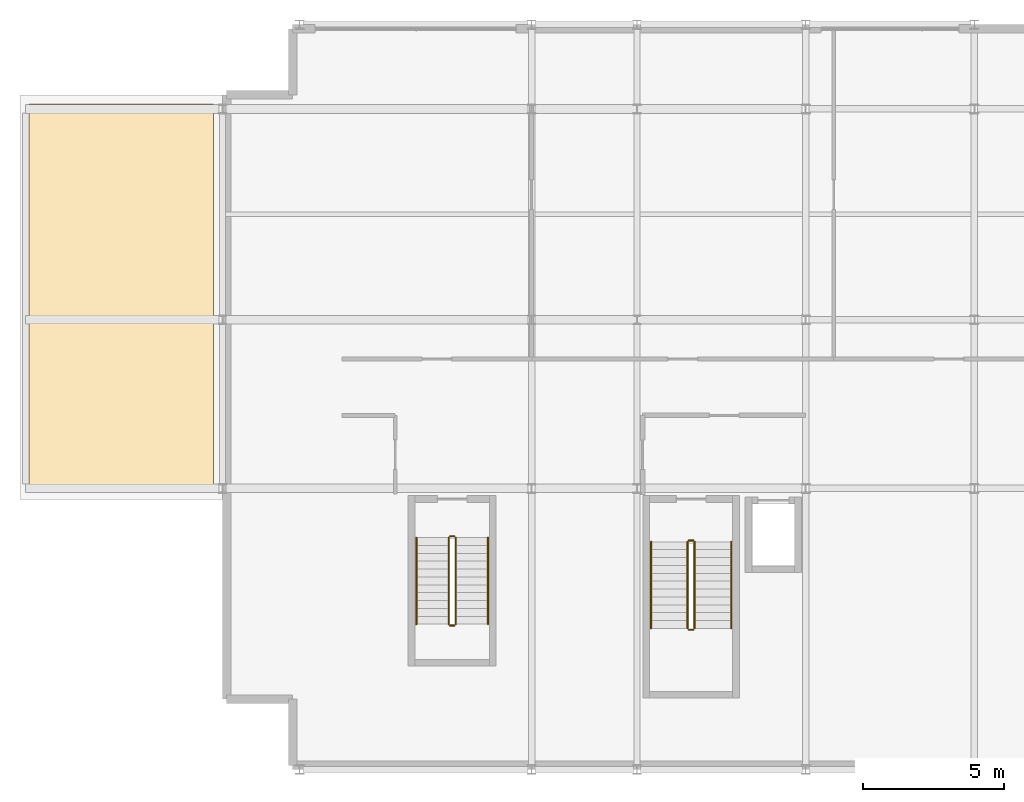
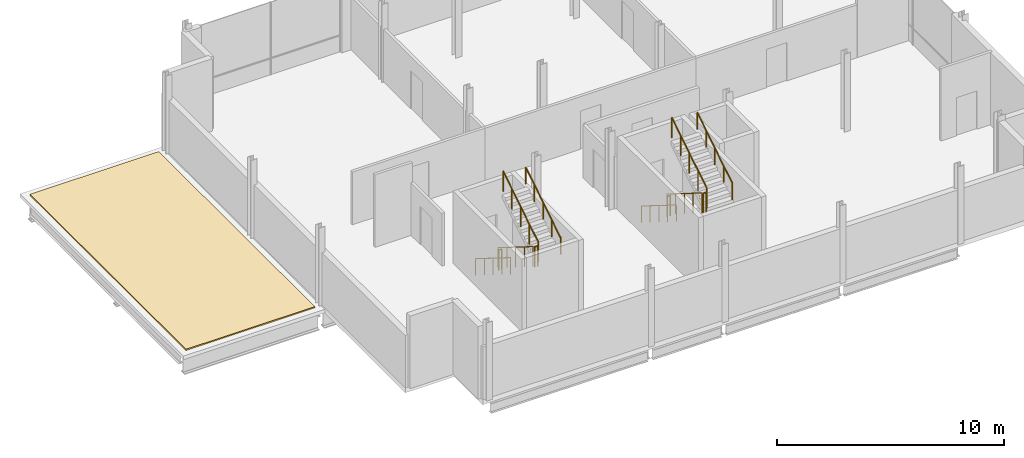
# One storey, part 11 of 11: 12 railings, 1 covering.
"""IFC4 building model written with IfcOpenShell, lengths in metres."""

from ifc_helpers import new_model, si_unit, direction, frame, origin, origin_2d, place, context, subcontext, project, spatial, polyline, circle, outline, extrude, material, layer, layer_set, type_object, element, save


model = new_model("IFC4")

# Units and contexts
model_context = context("Model", 3, precision=1e-05, world=origin(), true_north=direction((0.0, 1.0)))
body_context = subcontext(model_context, "Body", "Model", "MODEL_VIEW")
ifc_project = project(units=[si_unit("LENGTHUNIT", "METRE"), si_unit("AREAUNIT", "SQUARE_METRE"), si_unit("VOLUMEUNIT", "CUBIC_METRE"), si_unit("PLANEANGLEUNIT", "RADIAN"), si_unit("MASSUNIT", "GRAM", prefix="KILO")], contexts=[model_context])

# Site, building, storey
site_placement = place(None, origin())
site = spatial("IfcSite", under=ifc_project, at=site_placement, CompositionType="ELEMENT")
building_placement = place(site_placement, origin())
building = spatial("IfcBuilding", under=site, at=building_placement, Name="Brevholm Reach", CompositionType="ELEMENT")
storey_placement = place(building_placement, frame((0.0, 0.0, 247.25)))
storey = spatial("IfcBuildingStorey", under=building, at=storey_placement, Name="L75", CompositionType="ELEMENT", Elevation=247.25)

# Covering
ifc_material_1 = material(Name="SBS Polymer-Modified Bitumen Waterproofing and Paver Membrane", Category="membrane")
ifc_layer = layer(ifc_material_1, 0.06494140625)
ifc_layer_set = layer_set([ifc_layer], Name="SBS Polymer-Modified Bitumen Waterproofing and Paver Membrane")
covering_type = type_object("IfcCoveringType", Name="COV-ROF-65", PredefinedType="ROOFING", material=ifc_layer_set)
covering_placement = place(storey_placement, frame((0.0, 0.0, -0.070068359375)))
element("IfcCovering", 1, at=covering_placement, inside=storey, type_object=covering_type, Name="L75 Waterproof Terrace Roofing Membrane 7", PredefinedType="ROOFING", context=body_context, shape_type="SweptSolid", body=[
    extrude(outline(polyline([(20.3701171875, 9.919921875), (20.3701171875, 23.679931640625), (26.929931640625, 23.679931640625), (26.929931640625, 9.919921875), (20.3701171875, 9.919921875)])), origin(), (0.0, 0.0, 1.0), 0.065185546875),
])

# Railings
ifc_material_2 = material(Name="Brushed Stainless Steel EN 1.4401 Continuous Handrail", Category="steel")
railing_type_1 = type_object("IfcRailingType", Name="RAL-HND-950", PredefinedType="HANDRAIL", material=ifc_material_2)
railing_1_placement = place(storey_placement, frame((42.5, 8.10009765625, 0.175048828125)))
element("IfcRailing", 2, at=railing_1_placement, inside=storey, type_object=railing_type_1, Name="L75 ST-2 stair handrail 1", PredefinedType="HANDRAIL", context=body_context, shape_type="SweptSolid", body=[
    extrude(circle(Radius=0.02392578125, at=origin_2d()), frame((0.0, 0.0, 0.8857421875), z_axis=(0.0, -0.847998304005, 0.529998940003), x_axis=(1.0, 0.0, 0.0)), (0.0, 0.0, 1.0), 3.632080078125),
    extrude(circle(Radius=0.02099609375, at=origin_2d()), origin(), (0.0, 0.0, 1.0), 0.86181640625),
    extrude(circle(Radius=0.02099609375, at=origin_2d()), frame((0.0, -0.77001953125, 0.481201171875)), (0.0, 0.0, 1.0), 0.86181640625),
    extrude(circle(Radius=0.02099609375, at=origin_2d()), frame((0.0, -1.5400390625, 0.96240234375)), (0.0, 0.0, 1.0), 0.86181640625),
    extrude(circle(Radius=0.02099609375, at=origin_2d()), frame((0.0, -2.31005859375, 1.44384765625)), (0.0, 0.0, 1.0), 0.86181640625),
    extrude(circle(Radius=0.02099609375, at=origin_2d()), frame((0.0, -3.080078125, 1.925048828125)), (0.0, 0.0, 1.0), 0.86181640625),
])
railing_2_placement = place(storey_placement, frame((45.35009765625, 5.02001953125, 2.27490234375)))
element("IfcRailing", 3, at=railing_2_placement, inside=storey, type_object=railing_type_1, Name="L75 ST-2 stair handrail 2", PredefinedType="HANDRAIL", context=body_context, shape_type="SweptSolid", body=[
    extrude(circle(Radius=0.02392578125, at=origin_2d()), frame((0.0, 0.0, 0.8857421875), z_axis=(0.0, 0.847998304005, 0.529998940003), x_axis=(-1.0, 0.0, 0.0)), (0.0, 0.0, 1.0), 3.632080078125),
    extrude(circle(Radius=0.02099609375, at=origin_2d()), origin(), (0.0, 0.0, 1.0), 0.86181640625),
    extrude(circle(Radius=0.02099609375, at=origin_2d()), frame((0.0, 0.77001953125, 0.481201171875)), (0.0, 0.0, 1.0), 0.86181640625),
    extrude(circle(Radius=0.02099609375, at=origin_2d()), frame((0.0, 1.5400390625, 0.96240234375)), (0.0, 0.0, 1.0), 0.86181640625),
    extrude(circle(Radius=0.02099609375, at=origin_2d()), frame((0.0, 2.31005859375, 1.44384765625)), (0.0, 0.0, 1.0), 0.86181640625),
    extrude(circle(Radius=0.02099609375, at=origin_2d()), frame((0.0, 3.080078125, 1.925048828125)), (0.0, 0.0, 1.0), 0.86181640625),
])
railing_3_placement = place(storey_placement, frame((34.14990234375, 8.25, 0.175048828125)))
element("IfcRailing", 4, at=railing_3_placement, inside=storey, type_object=railing_type_1, Name="L75 ST-3 stair handrail 1", PredefinedType="HANDRAIL", context=body_context, shape_type="SweptSolid", body=[
    extrude(circle(Radius=0.02392578125, at=origin_2d()), frame((0.0, 0.0, 0.8857421875), z_axis=(0.0, -0.847998304005, 0.529998940003), x_axis=(1.0, 0.0, 0.0)), (0.0, 0.0, 1.0), 3.632080078125),
    extrude(circle(Radius=0.02099609375, at=origin_2d()), origin(), (0.0, 0.0, 1.0), 0.86181640625),
    extrude(circle(Radius=0.02099609375, at=origin_2d()), frame((0.0, -0.77001953125, 0.481201171875)), (0.0, 0.0, 1.0), 0.86181640625),
    extrude(circle(Radius=0.02099609375, at=origin_2d()), frame((0.0, -1.5400390625, 0.96240234375)), (0.0, 0.0, 1.0), 0.86181640625),
    extrude(circle(Radius=0.02099609375, at=origin_2d()), frame((0.0, -2.31005859375, 1.44384765625)), (0.0, 0.0, 1.0), 0.86181640625),
    extrude(circle(Radius=0.02099609375, at=origin_2d()), frame((0.0, -3.080078125, 1.925048828125)), (0.0, 0.0, 1.0), 0.86181640625),
])
railing_4_placement = place(storey_placement, frame((36.699951171875, 5.169921875, 2.27490234375)))
element("IfcRailing", 5, at=railing_4_placement, inside=storey, type_object=railing_type_1, Name="L75 ST-3 stair handrail 2", PredefinedType="HANDRAIL", context=body_context, shape_type="SweptSolid", body=[
    extrude(circle(Radius=0.02392578125, at=origin_2d()), frame((0.0, 0.0, 0.8857421875), z_axis=(0.0, 0.847998304005, 0.529998940003), x_axis=(-1.0, 0.0, 0.0)), (0.0, 0.0, 1.0), 3.632080078125),
    extrude(circle(Radius=0.02099609375, at=origin_2d()), origin(), (0.0, 0.0, 1.0), 0.86181640625),
    extrude(circle(Radius=0.02099609375, at=origin_2d()), frame((0.0, 0.77001953125, 0.481201171875)), (0.0, 0.0, 1.0), 0.86181640625),
    extrude(circle(Radius=0.02099609375, at=origin_2d()), frame((0.0, 1.5400390625, 0.96240234375)), (0.0, 0.0, 1.0), 0.86181640625),
    extrude(circle(Radius=0.02099609375, at=origin_2d()), frame((0.0, 2.31005859375, 1.44384765625)), (0.0, 0.0, 1.0), 0.86181640625),
    extrude(circle(Radius=0.02099609375, at=origin_2d()), frame((0.0, 3.080078125, 1.925048828125)), (0.0, 0.0, 1.0), 0.86181640625),
])
ifc_material_3 = material(Name="Painted Tubular Galvanised Steel S275JR Stair Guard", Category="steel")
railing_type_2 = type_object("IfcRailingType", Name="RAL-STG-1120", PredefinedType="BALUSTRADE", material=ifc_material_3)
railing_5_placement = place(storey_placement, frame((43.800048828125, 8.10009765625, 0.175048828125)))
element("IfcRailing", 6, at=railing_5_placement, inside=storey, type_object=railing_type_2, Name="L75 ST-2 stair guard 1", PredefinedType="BALUSTRADE", context=body_context, shape_type="SweptSolid", body=[
    extrude(circle(Radius=0.02392578125, at=origin_2d()), frame((0.0, 0.0, 1.076171875), z_axis=(0.0, -0.847998304005, 0.529998940003), x_axis=(1.0, 0.0, 0.0)), (0.0, 0.0, 1.0), 3.632080078125),
    extrude(circle(Radius=0.02099609375, at=origin_2d()), origin(), (0.0, 0.0, 1.0), 1.052001953125),
    extrude(circle(Radius=0.02099609375, at=origin_2d()), frame((0.0, -0.77001953125, 0.481201171875)), (0.0, 0.0, 1.0), 1.052001953125),
    extrude(circle(Radius=0.02099609375, at=origin_2d()), frame((0.0, -1.5400390625, 0.96240234375)), (0.0, 0.0, 1.0), 1.052001953125),
    extrude(circle(Radius=0.02099609375, at=origin_2d()), frame((0.0, -2.31005859375, 1.44384765625)), (0.0, 0.0, 1.0), 1.052001953125),
    extrude(circle(Radius=0.02099609375, at=origin_2d()), frame((0.0, -3.080078125, 1.925048828125)), (0.0, 0.0, 1.0), 1.052001953125),
])
railing_6_placement = place(storey_placement, frame((43.85009765625, 4.969970703125, 2.10009765625)))
element("IfcRailing", 7, at=railing_6_placement, inside=storey, type_object=railing_type_2, Name="L75 ST-2 stair guard 2", PredefinedType="BALUSTRADE", context=body_context, shape_type="SweptSolid", body=[
    extrude(circle(Radius=0.02392578125, at=origin_2d()), frame((0.0, 0.0, 1.076171875), z_axis=(1.0, 0.0, 0.0), x_axis=(0.0, 1.0, 0.0)), (0.0, 0.0, 1.0), 0.14990234375),
    extrude(circle(Radius=0.02099609375, at=origin_2d()), origin(), (0.0, 0.0, 1.0), 1.052001953125),
    extrude(circle(Radius=0.02099609375, at=origin_2d()), frame((0.14990234375, 0.0, 0.0)), (0.0, 0.0, 1.0), 1.052001953125),
])
railing_7_placement = place(storey_placement, frame((44.050048828125, 5.02001953125, 2.27490234375)))
element("IfcRailing", 8, at=railing_7_placement, inside=storey, type_object=railing_type_2, Name="L75 ST-2 stair guard 3", PredefinedType="BALUSTRADE", context=body_context, shape_type="SweptSolid", body=[
    extrude(circle(Radius=0.02392578125, at=origin_2d()), frame((0.0, 0.0, 1.076171875), z_axis=(0.0, 0.847998304005, 0.529998940003), x_axis=(-1.0, 0.0, 0.0)), (0.0, 0.0, 1.0), 3.632080078125),
    extrude(circle(Radius=0.02099609375, at=origin_2d()), origin(), (0.0, 0.0, 1.0), 1.052001953125),
    extrude(circle(Radius=0.02099609375, at=origin_2d()), frame((0.0, 0.77001953125, 0.481201171875)), (0.0, 0.0, 1.0), 1.052001953125),
    extrude(circle(Radius=0.02099609375, at=origin_2d()), frame((0.0, 1.5400390625, 0.96240234375)), (0.0, 0.0, 1.0), 1.052001953125),
    extrude(circle(Radius=0.02099609375, at=origin_2d()), frame((0.0, 2.31005859375, 1.44384765625)), (0.0, 0.0, 1.0), 1.052001953125),
    extrude(circle(Radius=0.02099609375, at=origin_2d()), frame((0.0, 3.080078125, 1.925048828125)), (0.0, 0.0, 1.0), 1.052001953125),
])
railing_8_placement = place(storey_placement, frame((43.85009765625, 8.14990234375, 0.0)))
element("IfcRailing", 9, at=railing_8_placement, inside=storey, type_object=railing_type_2, Name="L75 ST-2 stair guard 4", PredefinedType="BALUSTRADE", context=body_context, shape_type="SweptSolid", body=[
    extrude(circle(Radius=0.02392578125, at=origin_2d()), frame((0.0, 0.0, 1.076171875), z_axis=(1.0, 0.0, 0.0), x_axis=(0.0, 1.0, 0.0)), (0.0, 0.0, 1.0), 0.14990234375),
    extrude(circle(Radius=0.02099609375, at=origin_2d()), origin(), (0.0, 0.0, 1.0), 1.052001953125),
    extrude(circle(Radius=0.02099609375, at=origin_2d()), frame((0.14990234375, 0.0, 0.0)), (0.0, 0.0, 1.0), 1.052001953125),
])
railing_9_placement = place(storey_placement, frame((35.300048828125, 8.25, 0.175048828125)))
element("IfcRailing", 10, at=railing_9_placement, inside=storey, type_object=railing_type_2, Name="L75 ST-3 stair guard 1", PredefinedType="BALUSTRADE", context=body_context, shape_type="SweptSolid", body=[
    extrude(circle(Radius=0.02392578125, at=origin_2d()), frame((0.0, 0.0, 1.076171875), z_axis=(0.0, -0.847998304005, 0.529998940003), x_axis=(1.0, 0.0, 0.0)), (0.0, 0.0, 1.0), 3.632080078125),
    extrude(circle(Radius=0.02099609375, at=origin_2d()), origin(), (0.0, 0.0, 1.0), 1.052001953125),
    extrude(circle(Radius=0.02099609375, at=origin_2d()), frame((0.0, -0.77001953125, 0.481201171875)), (0.0, 0.0, 1.0), 1.052001953125),
    extrude(circle(Radius=0.02099609375, at=origin_2d()), frame((0.0, -1.5400390625, 0.96240234375)), (0.0, 0.0, 1.0), 1.052001953125),
    extrude(circle(Radius=0.02099609375, at=origin_2d()), frame((0.0, -2.31005859375, 1.44384765625)), (0.0, 0.0, 1.0), 1.052001953125),
    extrude(circle(Radius=0.02099609375, at=origin_2d()), frame((0.0, -3.080078125, 1.925048828125)), (0.0, 0.0, 1.0), 1.052001953125),
])
railing_10_placement = place(storey_placement, frame((35.35009765625, 5.1201171875, 2.10009765625)))
element("IfcRailing", 11, at=railing_10_placement, inside=storey, type_object=railing_type_2, Name="L75 ST-3 stair guard 2", PredefinedType="BALUSTRADE", context=body_context, shape_type="SweptSolid", body=[
    extrude(circle(Radius=0.02392578125, at=origin_2d()), frame((0.0, 0.0, 1.076171875), z_axis=(1.0, 0.0, 0.0), x_axis=(0.0, 1.0, 0.0)), (0.0, 0.0, 1.0), 0.14990234375),
    extrude(circle(Radius=0.02099609375, at=origin_2d()), origin(), (0.0, 0.0, 1.0), 1.052001953125),
    extrude(circle(Radius=0.02099609375, at=origin_2d()), frame((0.14990234375, 0.0, 0.0)), (0.0, 0.0, 1.0), 1.052001953125),
])
railing_11_placement = place(storey_placement, frame((35.550048828125, 5.169921875, 2.27490234375)))
element("IfcRailing", 12, at=railing_11_placement, inside=storey, type_object=railing_type_2, Name="L75 ST-3 stair guard 3", PredefinedType="BALUSTRADE", context=body_context, shape_type="SweptSolid", body=[
    extrude(circle(Radius=0.02392578125, at=origin_2d()), frame((0.0, 0.0, 1.076171875), z_axis=(0.0, 0.847998304005, 0.529998940003), x_axis=(-1.0, 0.0, 0.0)), (0.0, 0.0, 1.0), 3.632080078125),
    extrude(circle(Radius=0.02099609375, at=origin_2d()), origin(), (0.0, 0.0, 1.0), 1.052001953125),
    extrude(circle(Radius=0.02099609375, at=origin_2d()), frame((0.0, 0.77001953125, 0.481201171875)), (0.0, 0.0, 1.0), 1.052001953125),
    extrude(circle(Radius=0.02099609375, at=origin_2d()), frame((0.0, 1.5400390625, 0.96240234375)), (0.0, 0.0, 1.0), 1.052001953125),
    extrude(circle(Radius=0.02099609375, at=origin_2d()), frame((0.0, 2.31005859375, 1.44384765625)), (0.0, 0.0, 1.0), 1.052001953125),
    extrude(circle(Radius=0.02099609375, at=origin_2d()), frame((0.0, 3.080078125, 1.925048828125)), (0.0, 0.0, 1.0), 1.052001953125),
])
railing_12_placement = place(storey_placement, frame((35.35009765625, 8.300048828125, 0.0)))
element("IfcRailing", 13, at=railing_12_placement, inside=storey, type_object=railing_type_2, Name="L75 ST-3 stair guard 4", PredefinedType="BALUSTRADE", context=body_context, shape_type="SweptSolid", body=[
    extrude(circle(Radius=0.02392578125, at=origin_2d()), frame((0.0, 0.0, 1.076171875), z_axis=(1.0, 0.0, 0.0), x_axis=(0.0, 1.0, 0.0)), (0.0, 0.0, 1.0), 0.14990234375),
    extrude(circle(Radius=0.02099609375, at=origin_2d()), origin(), (0.0, 0.0, 1.0), 1.052001953125),
    extrude(circle(Radius=0.02099609375, at=origin_2d()), frame((0.14990234375, 0.0, 0.0)), (0.0, 0.0, 1.0), 1.052001953125),
])

save(model, "model.ifc")
